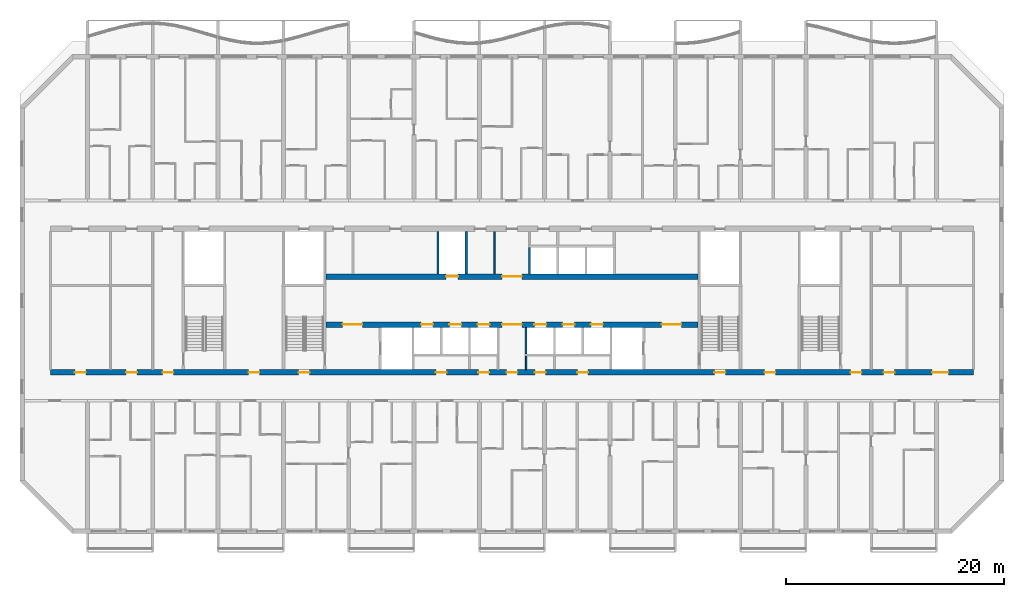
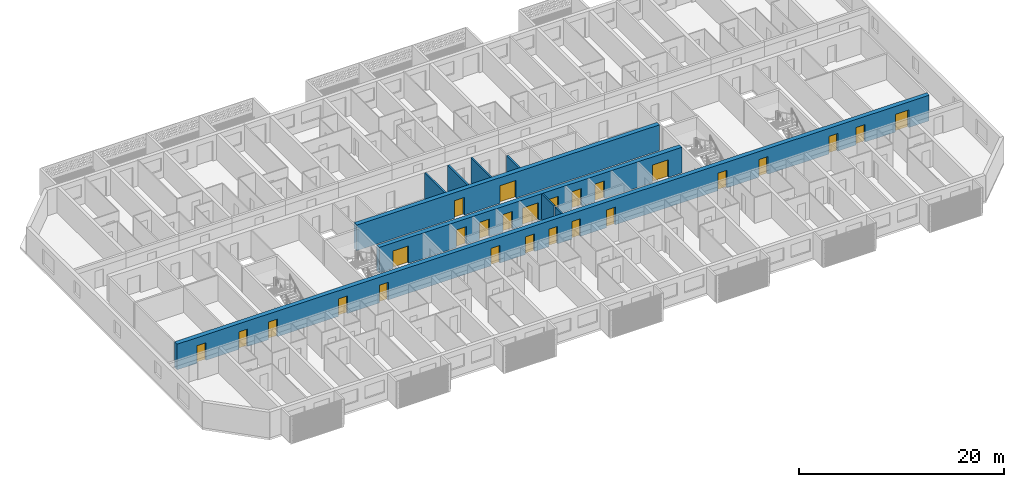
# One storey, part 8 of 28: 26 doors, 9 walls, 26 openings.
"""IFC4 building model written with IfcOpenShell, lengths in metres."""

from ifc_helpers import new_model, si_unit, direction, frame, frame_2d, origin, place, context, subcontext, project, spatial, rectangle, extrude, material, layer, layer_set, type_object, element, fill, save


model = new_model("IFC4")

# Units and contexts
model_context = context("Model", 3, precision=1e-05, world=origin(), true_north=direction((0.0, 1.0)))
body_context = subcontext(model_context, "Body", "Model", "MODEL_VIEW")
ifc_project = project(units=[si_unit("LENGTHUNIT", "METRE"), si_unit("AREAUNIT", "SQUARE_METRE"), si_unit("VOLUMEUNIT", "CUBIC_METRE"), si_unit("PLANEANGLEUNIT", "RADIAN"), si_unit("MASSUNIT", "GRAM", prefix="KILO")], contexts=[model_context])

# Site, building, storey
site_placement = place(None, origin())
site = spatial("IfcSite", under=ifc_project, at=site_placement, CompositionType="ELEMENT")
building_placement = place(site_placement, origin())
building = spatial("IfcBuilding", under=site, at=building_placement, Name="Poui Terraces", CompositionType="ELEMENT")
storey_placement = place(building_placement, frame((0.0, 0.0, 72.89990234375)))
storey = spatial("IfcBuildingStorey", under=building, at=storey_placement, Name="L19", CompositionType="ELEMENT", Elevation=72.89990234375)

# Wall, openings, doors
ifc_material_1 = material(Name="Concrete 65 MPa", Category="concrete")
ifc_layer_1 = layer(ifc_material_1, 0.5)
ifc_layer_set_1 = layer_set([ifc_layer_1], Name="Concrete 65 MPa")
wall_type_1 = type_object("IfcWallType", Name="CORE WALL 500 65 MPA", PredefinedType="SOLIDWALL", material=ifc_layer_set_1)
wall_1_placement = place(storey_placement, frame((33.925048828125, 19.0, 0.0), z_axis=(0.0, 0.0, 1.0), x_axis=(1.0, 0.0, 0.0)))
wall_1 = element("IfcWall", 1, at=wall_1_placement, inside=storey, type_object=wall_type_1, Name="CORE WALL", PredefinedType="SOLIDWALL", context=body_context, shape_type="SweptSolid", body=[
    extrude(rectangle(XDim=34.14990234375, YDim=0.5, at=frame_2d((17.074951171875, 0.0))), origin(), (0.0, 0.0, 1.0), 3.06005859375),
])
opening_1_placement = place(wall_1_placement, frame((16.175048828125, 0.0, 0.0)))
opening_1 = element("IfcOpeningElement", 2, at=opening_1_placement, cuts=wall_1, Name="Opening FDD60", PredefinedType="OPENING", context=body_context, shape_type="SweptSolid", body=[
    extrude(rectangle(XDim=1.800048828125, YDim=2.10009765625, at=frame_2d((0.89990234375, 1.050048828125))), frame((0.0, 0.260009765625, 0.0), z_axis=(0.0, -1.0, 0.0), x_axis=(1.0, 0.0, 0.0)), (0.0, 0.0, 1.0), 0.52001953125),
])
opening_2_placement = place(wall_1_placement, frame((1.52490234375, 0.0, 0.0)))
opening_2 = element("IfcOpeningElement", 3, at=opening_2_placement, cuts=wall_1, Name="Opening FDD60", PredefinedType="OPENING", context=body_context, shape_type="SweptSolid", body=[
    extrude(rectangle(XDim=1.800048828125, YDim=2.10009765625, at=frame_2d((0.89990234375, 1.050048828125))), frame((0.0, 0.260009765625, 0.0), z_axis=(0.0, -1.0, 0.0), x_axis=(1.0, 0.0, 0.0)), (0.0, 0.0, 1.0), 0.52001953125),
])
opening_3_placement = place(wall_1_placement, frame((8.72509765625, 0.0, 0.0)))
opening_3 = element("IfcOpeningElement", 4, at=opening_3_placement, cuts=wall_1, Name="Opening LD", PredefinedType="OPENING", context=body_context, shape_type="SweptSolid", body=[
    extrude(rectangle(XDim=1.10009765625, YDim=2.10009765625, at=frame_2d((0.550048828125, 1.050048828125))), frame((0.0, 0.260009765625, 0.0), z_axis=(0.0, -1.0, 0.0), x_axis=(1.0, 0.0, 0.0)), (0.0, 0.0, 1.0), 0.52001953125),
])
opening_4_placement = place(wall_1_placement, frame((11.324951171875, 0.0, 0.0)))
opening_4 = element("IfcOpeningElement", 5, at=opening_4_placement, cuts=wall_1, Name="Opening LD", PredefinedType="OPENING", context=body_context, shape_type="SweptSolid", body=[
    extrude(rectangle(XDim=1.10009765625, YDim=2.10009765625, at=frame_2d((0.550048828125, 1.050048828125))), frame((0.0, 0.260009765625, 0.0), z_axis=(0.0, -1.0, 0.0), x_axis=(1.0, 0.0, 0.0)), (0.0, 0.0, 1.0), 0.52001953125),
])
opening_5_placement = place(wall_1_placement, frame((13.925048828125, 0.0, 0.0)))
opening_5 = element("IfcOpeningElement", 6, at=opening_5_placement, cuts=wall_1, Name="Opening LD", PredefinedType="OPENING", context=body_context, shape_type="SweptSolid", body=[
    extrude(rectangle(XDim=1.10009765625, YDim=2.10009765625, at=frame_2d((0.550048828125, 1.050048828125))), frame((0.0, 0.260009765625, 0.0), z_axis=(0.0, -1.0, 0.0), x_axis=(1.0, 0.0, 0.0)), (0.0, 0.0, 1.0), 0.52001953125),
])
opening_6_placement = place(wall_1_placement, frame((19.125, 0.0, 0.0)))
opening_6 = element("IfcOpeningElement", 7, at=opening_6_placement, cuts=wall_1, Name="Opening LD", PredefinedType="OPENING", context=body_context, shape_type="SweptSolid", body=[
    extrude(rectangle(XDim=1.10009765625, YDim=2.10009765625, at=frame_2d((0.550048828125, 1.050048828125))), frame((0.0, 0.260009765625, 0.0), z_axis=(0.0, -1.0, 0.0), x_axis=(1.0, 0.0, 0.0)), (0.0, 0.0, 1.0), 0.52001953125),
])
opening_7_placement = place(wall_1_placement, frame((21.72509765625, 0.0, 0.0)))
opening_7 = element("IfcOpeningElement", 8, at=opening_7_placement, cuts=wall_1, Name="Opening LD", PredefinedType="OPENING", context=body_context, shape_type="SweptSolid", body=[
    extrude(rectangle(XDim=1.10009765625, YDim=2.10009765625, at=frame_2d((0.550048828125, 1.050048828125))), frame((0.0, 0.260009765625, 0.0), z_axis=(0.0, -1.0, 0.0), x_axis=(1.0, 0.0, 0.0)), (0.0, 0.0, 1.0), 0.52001953125),
])
opening_8_placement = place(wall_1_placement, frame((24.324951171875, 0.0, 0.0)))
opening_8 = element("IfcOpeningElement", 9, at=opening_8_placement, cuts=wall_1, Name="Opening LD", PredefinedType="OPENING", context=body_context, shape_type="SweptSolid", body=[
    extrude(rectangle(XDim=1.10009765625, YDim=2.10009765625, at=frame_2d((0.550048828125, 1.050048828125))), frame((0.0, 0.260009765625, 0.0), z_axis=(0.0, -1.0, 0.0), x_axis=(1.0, 0.0, 0.0)), (0.0, 0.0, 1.0), 0.52001953125),
])
opening_9_placement = place(wall_1_placement, frame((30.824951171875, 0.0, 0.0)))
opening_9 = element("IfcOpeningElement", 10, at=opening_9_placement, cuts=wall_1, Name="Opening FDD60", PredefinedType="OPENING", context=body_context, shape_type="SweptSolid", body=[
    extrude(rectangle(XDim=1.800048828125, YDim=2.10009765625, at=frame_2d((0.89990234375, 1.050048828125))), frame((0.0, 0.260009765625, 0.0), z_axis=(0.0, -1.0, 0.0), x_axis=(1.0, 0.0, 0.0)), (0.0, 0.0, 1.0), 0.52001953125),
])
ifc_material_2 = material(Name="Steel fire door", Category="steel")
door_type_1 = type_object("IfcDoorType", Name="DOUBLE LOBBY FIRE DOOR 1800 X 2100", OperationType="DOUBLE_DOOR_SINGLE_SWING", PredefinedType="DOOR", material=ifc_material_2)
door_1_placement = place(opening_1_placement, frame((1.800048828125, 0.0, 0.0), z_axis=(0.0, 0.0, 1.0), x_axis=(-1.0, 0.0, 0.0)))
door_1 = element("IfcDoor", 11, at=door_1_placement, inside=storey, type_object=door_type_1, Name="DOUBLE LOBBY FIRE DOOR 140", OperationType="DOUBLE_DOOR_SINGLE_SWING", OverallHeight=2.10009765625, OverallWidth=1.800048828125, PredefinedType="DOOR", context=body_context, shape_type="SweptSolid", body=[
    extrude(rectangle(XDim=1.800048828125, YDim=2.10009765625, at=frame_2d((0.89990234375, 1.050048828125))), frame((0.0, 0.02490234375, 0.0), z_axis=(0.0, -1.0, 0.0), x_axis=(1.0, 0.0, 0.0)), (0.0, 0.0, 1.0), 0.050048828125),
])
fill(opening_1, door_1)
door_2_placement = place(opening_2_placement, origin())
door_2 = element("IfcDoor", 12, at=door_2_placement, inside=storey, type_object=door_type_1, Name="DOUBLE LOBBY FIRE DOOR 141", OperationType="DOUBLE_DOOR_SINGLE_SWING", OverallHeight=2.10009765625, OverallWidth=1.800048828125, PredefinedType="DOOR", context=body_context, shape_type="SweptSolid", body=[
    extrude(rectangle(XDim=1.800048828125, YDim=2.10009765625, at=frame_2d((0.89990234375, 1.050048828125))), frame((0.0, 0.02490234375, 0.0), z_axis=(0.0, -1.0, 0.0), x_axis=(1.0, 0.0, 0.0)), (0.0, 0.0, 1.0), 0.050048828125),
])
fill(opening_2, door_2)
door_3_placement = place(opening_9_placement, origin())
door_3 = element("IfcDoor", 13, at=door_3_placement, inside=storey, type_object=door_type_1, Name="DOUBLE LOBBY FIRE DOOR 149", OperationType="DOUBLE_DOOR_SINGLE_SWING", OverallHeight=2.10009765625, OverallWidth=1.800048828125, PredefinedType="DOOR", context=body_context, shape_type="SweptSolid", body=[
    extrude(rectangle(XDim=1.800048828125, YDim=2.10009765625, at=frame_2d((0.89990234375, 1.050048828125))), frame((0.0, 0.02490234375, 0.0), z_axis=(0.0, -1.0, 0.0), x_axis=(1.0, 0.0, 0.0)), (0.0, 0.0, 1.0), 0.050048828125),
])
fill(opening_9, door_3)
ifc_material_3 = material(Name="Stainless steel sliding door", Category="steel")
door_type_2 = type_object("IfcDoorType", Name="LIFT LANDING DOOR 1100 X 2100", OperationType="DOUBLE_DOOR_SLIDING", PredefinedType="DOOR", material=ifc_material_3)
door_4_placement = place(opening_3_placement, origin())
door_4 = element("IfcDoor", 14, at=door_4_placement, inside=storey, type_object=door_type_2, Name="LANDING DOOR", OperationType="DOUBLE_DOOR_SLIDING", OverallHeight=2.10009765625, OverallWidth=1.10009765625, PredefinedType="DOOR", context=body_context, shape_type="SweptSolid", body=[
    extrude(rectangle(XDim=1.10009765625, YDim=2.10009765625, at=frame_2d((0.550048828125, 1.050048828125))), frame((0.0, 0.02490234375, 0.0), z_axis=(0.0, -1.0, 0.0), x_axis=(1.0, 0.0, 0.0)), (0.0, 0.0, 1.0), 0.050048828125),
])
fill(opening_3, door_4)
door_5_placement = place(opening_4_placement, origin())
door_5 = element("IfcDoor", 15, at=door_5_placement, inside=storey, type_object=door_type_2, Name="LANDING DOOR", OperationType="DOUBLE_DOOR_SLIDING", OverallHeight=2.10009765625, OverallWidth=1.10009765625, PredefinedType="DOOR", context=body_context, shape_type="SweptSolid", body=[
    extrude(rectangle(XDim=1.10009765625, YDim=2.10009765625, at=frame_2d((0.550048828125, 1.050048828125))), frame((0.0, 0.02490234375, 0.0), z_axis=(0.0, -1.0, 0.0), x_axis=(1.0, 0.0, 0.0)), (0.0, 0.0, 1.0), 0.050048828125),
])
fill(opening_4, door_5)
door_6_placement = place(opening_5_placement, origin())
door_6 = element("IfcDoor", 16, at=door_6_placement, inside=storey, type_object=door_type_2, Name="LANDING DOOR", OperationType="DOUBLE_DOOR_SLIDING", OverallHeight=2.10009765625, OverallWidth=1.10009765625, PredefinedType="DOOR", context=body_context, shape_type="SweptSolid", body=[
    extrude(rectangle(XDim=1.10009765625, YDim=2.10009765625, at=frame_2d((0.550048828125, 1.050048828125))), frame((0.0, 0.02490234375, 0.0), z_axis=(0.0, -1.0, 0.0), x_axis=(1.0, 0.0, 0.0)), (0.0, 0.0, 1.0), 0.050048828125),
])
fill(opening_5, door_6)
door_7_placement = place(opening_6_placement, origin())
door_7 = element("IfcDoor", 17, at=door_7_placement, inside=storey, type_object=door_type_2, Name="LANDING DOOR", OperationType="DOUBLE_DOOR_SLIDING", OverallHeight=2.10009765625, OverallWidth=1.10009765625, PredefinedType="DOOR", context=body_context, shape_type="SweptSolid", body=[
    extrude(rectangle(XDim=1.10009765625, YDim=2.10009765625, at=frame_2d((0.550048828125, 1.050048828125))), frame((0.0, 0.02490234375, 0.0), z_axis=(0.0, -1.0, 0.0), x_axis=(1.0, 0.0, 0.0)), (0.0, 0.0, 1.0), 0.050048828125),
])
fill(opening_6, door_7)
door_8_placement = place(opening_7_placement, origin())
door_8 = element("IfcDoor", 18, at=door_8_placement, inside=storey, type_object=door_type_2, Name="LANDING DOOR", OperationType="DOUBLE_DOOR_SLIDING", OverallHeight=2.10009765625, OverallWidth=1.10009765625, PredefinedType="DOOR", context=body_context, shape_type="SweptSolid", body=[
    extrude(rectangle(XDim=1.10009765625, YDim=2.10009765625, at=frame_2d((0.550048828125, 1.050048828125))), frame((0.0, 0.02490234375, 0.0), z_axis=(0.0, -1.0, 0.0), x_axis=(1.0, 0.0, 0.0)), (0.0, 0.0, 1.0), 0.050048828125),
])
fill(opening_7, door_8)
door_9_placement = place(opening_8_placement, origin())
door_9 = element("IfcDoor", 19, at=door_9_placement, inside=storey, type_object=door_type_2, Name="LANDING DOOR", OperationType="DOUBLE_DOOR_SLIDING", OverallHeight=2.10009765625, OverallWidth=1.10009765625, PredefinedType="DOOR", context=body_context, shape_type="SweptSolid", body=[
    extrude(rectangle(XDim=1.10009765625, YDim=2.10009765625, at=frame_2d((0.550048828125, 1.050048828125))), frame((0.0, 0.02490234375, 0.0), z_axis=(0.0, -1.0, 0.0), x_axis=(1.0, 0.0, 0.0)), (0.0, 0.0, 1.0), 0.050048828125),
])
fill(opening_8, door_9)

wall_2_placement = place(storey_placement, frame((33.925048828125, 23.39990234375, 0.0), z_axis=(0.0, 0.0, 1.0), x_axis=(1.0, 0.0, 0.0)))
wall_2 = element("IfcWall", 20, at=wall_2_placement, inside=storey, type_object=wall_type_1, Name="CORE WALL", PredefinedType="SOLIDWALL", context=body_context, shape_type="SweptSolid", body=[
    extrude(rectangle(XDim=34.14990234375, YDim=0.5, at=frame_2d((17.074951171875, 0.0))), origin(), (0.0, 0.0, 1.0), 3.06005859375),
])
opening_10_placement = place(wall_2_placement, frame((16.175048828125, 0.0, 0.0)))
opening_10 = element("IfcOpeningElement", 21, at=opening_10_placement, cuts=wall_2, Name="Opening FDD60", PredefinedType="OPENING", context=body_context, shape_type="SweptSolid", body=[
    extrude(rectangle(XDim=1.800048828125, YDim=2.10009765625, at=frame_2d((0.89990234375, 1.050048828125))), frame((0.0, 0.260009765625, 0.0), z_axis=(0.0, -1.0, 0.0), x_axis=(1.0, 0.0, 0.0)), (0.0, 0.0, 1.0), 0.52001953125),
])
opening_11_placement = place(wall_2_placement, frame((11.02490234375, 0.0, 0.0)))
opening_11 = element("IfcOpeningElement", 22, at=opening_11_placement, cuts=wall_2, Name="Opening LD", PredefinedType="OPENING", context=body_context, shape_type="SweptSolid", body=[
    extrude(rectangle(XDim=1.10009765625, YDim=2.10009765625, at=frame_2d((0.550048828125, 1.050048828125))), frame((0.0, 0.260009765625, 0.0), z_axis=(0.0, -1.0, 0.0), x_axis=(1.0, 0.0, 0.0)), (0.0, 0.0, 1.0), 0.52001953125),
])
door_10_placement = place(opening_10_placement, origin())
door_10 = element("IfcDoor", 23, at=door_10_placement, inside=storey, type_object=door_type_1, Name="DOUBLE LOBBY FIRE DOOR 139", OperationType="DOUBLE_DOOR_SINGLE_SWING", OverallHeight=2.10009765625, OverallWidth=1.800048828125, PredefinedType="DOOR", context=body_context, shape_type="SweptSolid", body=[
    extrude(rectangle(XDim=1.800048828125, YDim=2.10009765625, at=frame_2d((0.89990234375, 1.050048828125))), frame((0.0, 0.02490234375, 0.0), z_axis=(0.0, -1.0, 0.0), x_axis=(1.0, 0.0, 0.0)), (0.0, 0.0, 1.0), 0.050048828125),
])
fill(opening_10, door_10)
door_11_placement = place(opening_11_placement, origin())
door_11 = element("IfcDoor", 24, at=door_11_placement, inside=storey, type_object=door_type_2, Name="LANDING DOOR", OperationType="DOUBLE_DOOR_SLIDING", OverallHeight=2.10009765625, OverallWidth=1.10009765625, PredefinedType="DOOR", context=body_context, shape_type="SweptSolid", body=[
    extrude(rectangle(XDim=1.10009765625, YDim=2.10009765625, at=frame_2d((0.550048828125, 1.050048828125))), frame((0.0, 0.02490234375, 0.0), z_axis=(0.0, -1.0, 0.0), x_axis=(1.0, 0.0, 0.0)), (0.0, 0.0, 1.0), 0.050048828125),
])
fill(opening_11, door_11)

# Walls
ifc_material_4 = material(Name="Fire-rated plasterboard wall")
ifc_layer_2 = layer(ifc_material_4, 0.14990234375)
ifc_layer_set_2 = layer_set([ifc_layer_2], Name="Fire-rated plasterboard wall")
wall_type_2 = type_object("IfcWallType", Name="CORRIDOR WALL 150", PredefinedType="PARTITIONING", material=ifc_layer_set_2)
wall_3_placement = place(storey_placement, frame((49.39990234375, 23.659912109375, 0.0), z_axis=(0.0, 0.0, 1.0), x_axis=(0.0, 1.0, 0.0)))
element("IfcWall", 25, at=wall_3_placement, inside=storey, type_object=wall_type_2, Name="CORRIDOR WALL 150", PredefinedType="PARTITIONING", context=body_context, shape_type="SweptSolid", body=[
    extrude(rectangle(XDim=3.880126953125, YDim=0.14990234375, at=frame_2d((1.93994140625, 0.0))), origin(), (0.0, 0.0, 1.0), 3.06005859375),
])
wall_4_placement = place(storey_placement, frame((52.300048828125, 14.860107421875, 0.0), z_axis=(0.0, 0.0, 1.0), x_axis=(0.0, 1.0, 0.0)))
element("IfcWall", 26, at=wall_4_placement, inside=storey, type_object=wall_type_2, Name="CORRIDOR WALL 150", PredefinedType="PARTITIONING", context=body_context, shape_type="SweptSolid", body=[
    extrude(rectangle(XDim=1.239990234375, YDim=0.14990234375, at=frame_2d((0.6201171875, 0.0))), origin(), (0.0, 0.0, 1.0), 3.06005859375),
])
ifc_material_5 = material(Name="Fire-rated masonry shaft wall", Category="masonry")
ifc_layer_3 = layer(ifc_material_5, 0.199951171875)
ifc_layer_set_3 = layer_set([ifc_layer_3], Name="Fire-rated masonry shaft wall")
wall_type_3 = type_object("IfcWallType", Name="SHAFT WALL 200", PredefinedType="PARTITIONING", material=ifc_layer_set_3)
for number, where, z_axis, x_axis, name in (
    (27, (44.199951171875, 23.659912109375, 0.0), (0.0, 0.0, 1.0), (0.0, 1.0, 0.0), "SHAFT WALL 200"),
    (28, (46.800048828125, 23.659912109375, 0.0), (0.0, 0.0, 1.0), (0.0, 1.0, 0.0), "SHAFT WALL 200"),
):
    element("IfcWall", number, at=place(storey_placement, frame(where, z_axis=z_axis, x_axis=x_axis)), inside=storey, type_object=wall_type_3, Name=name, PredefinedType="PARTITIONING", context=body_context, shape_type="SweptSolid", body=[
        extrude(rectangle(XDim=3.880126953125, YDim=0.199951171875, at=frame_2d((1.93994140625, 0.0))), origin(), (0.0, 0.0, 1.0), 3.06005859375),
    ])
wall_5_placement = place(storey_placement, frame((52.300048828125, 16.300048828125, 0.0), z_axis=(0.0, 0.0, 1.0), x_axis=(0.0, 1.0, 0.0)))
element("IfcWall", 29, at=wall_5_placement, inside=storey, type_object=wall_type_3, Name="SHAFT WALL 200", PredefinedType="PARTITIONING", context=body_context, shape_type="SweptSolid", body=[
    extrude(rectangle(XDim=2.43994140625, YDim=0.199951171875, at=frame_2d((1.219970703125, 0.0))), origin(), (0.0, 0.0, 1.0), 3.06005859375),
])
wall_6_placement = place(storey_placement, frame((52.60009765625, 23.659912109375, 0.0), z_axis=(0.0, 0.0, 1.0), x_axis=(0.0, 1.0, 0.0)))
element("IfcWall", 30, at=wall_6_placement, inside=storey, type_object=wall_type_3, Name="SHAFT WALL 200", PredefinedType="PARTITIONING", context=body_context, shape_type="SweptSolid", body=[
    extrude(rectangle(XDim=2.440185546875, YDim=0.199951171875, at=frame_2d((1.22021484375, 0.0))), origin(), (0.0, 0.0, 1.0), 3.06005859375),
])

# Wall, openings, doors
ifc_layer_4 = layer(ifc_material_1, 0.5)
ifc_layer_set_4 = layer_set([ifc_layer_4], Name="Concrete 65 MPa")
wall_type_4 = type_object("IfcWallType", Name="SPINE WALL 500 65 MPA", PredefinedType="SOLIDWALL", material=ifc_layer_set_4)
wall_7_placement = place(storey_placement, frame((8.60009765625, 14.60009765625, 0.0), z_axis=(0.0, 0.0, 1.0), x_axis=(1.0, 0.0, 0.0)))
wall_7 = element("IfcWall", 31, at=wall_7_placement, inside=storey, type_object=wall_type_4, Name="SPINE WALL", PredefinedType="SOLIDWALL", context=body_context, shape_type="SweptSolid", body=[
    extrude(rectangle(XDim=84.7998046875, YDim=0.5, at=frame_2d((42.39990234375, 0.0))), origin(), (0.0, 0.0, 1.0), 3.06005859375),
])
opening_12_placement = place(wall_7_placement, frame((2.25, 0.0, 0.0)))
opening_12 = element("IfcOpeningElement", 32, at=opening_12_placement, cuts=wall_7, Name="Opening FD60", PredefinedType="OPENING", context=body_context, shape_type="SweptSolid", body=[
    extrude(rectangle(XDim=1.0, YDim=2.10009765625, at=frame_2d((0.5, 1.050048828125))), frame((0.0, 0.260009765625, 0.0), z_axis=(0.0, -1.0, 0.0), x_axis=(1.0, 0.0, 0.0)), (0.0, 0.0, 1.0), 0.52001953125),
])
opening_13_placement = place(wall_7_placement, frame((6.949951171875, 0.0, 0.0)))
opening_13 = element("IfcOpeningElement", 33, at=opening_13_placement, cuts=wall_7, Name="Opening D100", PredefinedType="OPENING", context=body_context, shape_type="SweptSolid", body=[
    extrude(rectangle(XDim=1.0, YDim=2.10009765625, at=frame_2d((0.5, 1.050048828125))), frame((0.0, 0.260009765625, 0.0), z_axis=(0.0, -1.0, 0.0), x_axis=(1.0, 0.0, 0.0)), (0.0, 0.0, 1.0), 0.52001953125),
])
opening_14_placement = place(wall_7_placement, frame((10.300048828125, 0.0, 0.0)))
opening_14 = element("IfcOpeningElement", 34, at=opening_14_placement, cuts=wall_7, Name="Opening FDL", PredefinedType="OPENING", context=body_context, shape_type="SweptSolid", body=[
    extrude(rectangle(XDim=1.0, YDim=2.10009765625, at=frame_2d((0.5, 1.050048828125))), frame((0.0, 0.260009765625, 0.0), z_axis=(0.0, -1.0, 0.0), x_axis=(1.0, 0.0, 0.0)), (0.0, 0.0, 1.0), 0.52001953125),
])
opening_15_placement = place(wall_7_placement, frame((18.199951171875, 0.0, 0.0)))
opening_15 = element("IfcOpeningElement", 35, at=opening_15_placement, cuts=wall_7, Name="Opening D100", PredefinedType="OPENING", context=body_context, shape_type="SweptSolid", body=[
    extrude(rectangle(XDim=1.0, YDim=2.10009765625, at=frame_2d((0.5, 1.050048828125))), frame((0.0, 0.260009765625, 0.0), z_axis=(0.0, -1.0, 0.0), x_axis=(1.0, 0.0, 0.0)), (0.0, 0.0, 1.0), 0.52001953125),
])
opening_16_placement = place(wall_7_placement, frame((22.800048828125, 0.0, 0.0)))
opening_16 = element("IfcOpeningElement", 36, at=opening_16_placement, cuts=wall_7, Name="Opening FD60S", PredefinedType="OPENING", context=body_context, shape_type="SweptSolid", body=[
    extrude(rectangle(XDim=1.0, YDim=2.10009765625, at=frame_2d((0.5, 1.050048828125))), frame((0.0, 0.260009765625, 0.0), z_axis=(0.0, -1.0, 0.0), x_axis=(1.0, 0.0, 0.0)), (0.0, 0.0, 1.0), 0.52001953125),
])
opening_17_placement = place(wall_7_placement, frame((35.39990234375, 0.0, 0.0)))
opening_17 = element("IfcOpeningElement", 37, at=opening_17_placement, cuts=wall_7, Name="Opening FD60", PredefinedType="OPENING", context=body_context, shape_type="SweptSolid", body=[
    extrude(rectangle(XDim=1.0, YDim=2.10009765625, at=frame_2d((0.5, 1.050048828125))), frame((0.0, 0.260009765625, 0.0), z_axis=(0.0, -1.0, 0.0), x_axis=(1.0, 0.0, 0.0)), (0.0, 0.0, 1.0), 0.52001953125),
])
opening_18_placement = place(wall_7_placement, frame((39.300048828125, 0.0, 0.0)))
opening_18 = element("IfcOpeningElement", 38, at=opening_18_placement, cuts=wall_7, Name="Opening FD60", PredefinedType="OPENING", context=body_context, shape_type="SweptSolid", body=[
    extrude(rectangle(XDim=1.0, YDim=2.10009765625, at=frame_2d((0.5, 1.050048828125))), frame((0.0, 0.260009765625, 0.0), z_axis=(0.0, -1.0, 0.0), x_axis=(1.0, 0.0, 0.0)), (0.0, 0.0, 1.0), 0.52001953125),
])
opening_19_placement = place(wall_7_placement, frame((41.89990234375, 0.0, 0.0)))
opening_19 = element("IfcOpeningElement", 39, at=opening_19_placement, cuts=wall_7, Name="Opening FDL", PredefinedType="OPENING", context=body_context, shape_type="SweptSolid", body=[
    extrude(rectangle(XDim=1.0, YDim=2.10009765625, at=frame_2d((0.5, 1.050048828125))), frame((0.0, 0.260009765625, 0.0), z_axis=(0.0, -1.0, 0.0), x_axis=(1.0, 0.0, 0.0)), (0.0, 0.0, 1.0), 0.52001953125),
])
opening_20_placement = place(wall_7_placement, frame((44.5, 0.0, 0.0)))
opening_20 = element("IfcOpeningElement", 40, at=opening_20_placement, cuts=wall_7, Name="Opening FD60", PredefinedType="OPENING", context=body_context, shape_type="SweptSolid", body=[
    extrude(rectangle(XDim=1.0, YDim=2.10009765625, at=frame_2d((0.5, 1.050048828125))), frame((0.0, 0.260009765625, 0.0), z_axis=(0.0, -1.0, 0.0), x_axis=(1.0, 0.0, 0.0)), (0.0, 0.0, 1.0), 0.52001953125),
])
opening_21_placement = place(wall_7_placement, frame((48.39990234375, 0.0, 0.0)))
opening_21 = element("IfcOpeningElement", 41, at=opening_21_placement, cuts=wall_7, Name="Opening FD60", PredefinedType="OPENING", context=body_context, shape_type="SweptSolid", body=[
    extrude(rectangle(XDim=1.0, YDim=2.10009765625, at=frame_2d((0.5, 1.050048828125))), frame((0.0, 0.260009765625, 0.0), z_axis=(0.0, -1.0, 0.0), x_axis=(1.0, 0.0, 0.0)), (0.0, 0.0, 1.0), 0.52001953125),
])
opening_22_placement = place(wall_7_placement, frame((61.0, 0.0, 0.0)))
opening_22 = element("IfcOpeningElement", 42, at=opening_22_placement, cuts=wall_7, Name="Opening FD60S", PredefinedType="OPENING", context=body_context, shape_type="SweptSolid", body=[
    extrude(rectangle(XDim=1.0, YDim=2.10009765625, at=frame_2d((0.5, 1.050048828125))), frame((0.0, 0.260009765625, 0.0), z_axis=(0.0, -1.0, 0.0), x_axis=(1.0, 0.0, 0.0)), (0.0, 0.0, 1.0), 0.52001953125),
])
opening_23_placement = place(wall_7_placement, frame((65.60009765625, 0.0, 0.0)))
opening_23 = element("IfcOpeningElement", 43, at=opening_23_placement, cuts=wall_7, Name="Opening D100", PredefinedType="OPENING", context=body_context, shape_type="SweptSolid", body=[
    extrude(rectangle(XDim=1.0, YDim=2.10009765625, at=frame_2d((0.5, 1.050048828125))), frame((0.0, 0.260009765625, 0.0), z_axis=(0.0, -1.0, 0.0), x_axis=(1.0, 0.0, 0.0)), (0.0, 0.0, 1.0), 0.52001953125),
])
opening_24_placement = place(wall_7_placement, frame((73.5, 0.0, 0.0)))
opening_24 = element("IfcOpeningElement", 44, at=opening_24_placement, cuts=wall_7, Name="Opening FDL", PredefinedType="OPENING", context=body_context, shape_type="SweptSolid", body=[
    extrude(rectangle(XDim=1.0, YDim=2.10009765625, at=frame_2d((0.5, 1.050048828125))), frame((0.0, 0.260009765625, 0.0), z_axis=(0.0, -1.0, 0.0), x_axis=(1.0, 0.0, 0.0)), (0.0, 0.0, 1.0), 0.52001953125),
])
opening_25_placement = place(wall_7_placement, frame((76.550048828125, 0.0, 0.0)))
opening_25 = element("IfcOpeningElement", 45, at=opening_25_placement, cuts=wall_7, Name="Opening D100", PredefinedType="OPENING", context=body_context, shape_type="SweptSolid", body=[
    extrude(rectangle(XDim=1.0, YDim=2.10009765625, at=frame_2d((0.5, 1.050048828125))), frame((0.0, 0.260009765625, 0.0), z_axis=(0.0, -1.0, 0.0), x_axis=(1.0, 0.0, 0.0)), (0.0, 0.0, 1.0), 0.52001953125),
])
opening_26_placement = place(wall_7_placement, frame((81.0, 0.0, 0.0)))
opening_26 = element("IfcOpeningElement", 46, at=opening_26_placement, cuts=wall_7, Name="Opening FDP", PredefinedType="OPENING", context=body_context, shape_type="SweptSolid", body=[
    extrude(rectangle(XDim=1.5, YDim=2.10009765625, at=frame_2d((0.75, 1.050048828125))), frame((0.0, 0.260009765625, 0.0), z_axis=(0.0, -1.0, 0.0), x_axis=(1.0, 0.0, 0.0)), (0.0, 0.0, 1.0), 0.52001953125),
])
ifc_material_6 = material(Name="Solid core timber door", Category="wood")
door_type_3 = type_object("IfcDoorType", Name="ACCESSIBLE INTERNAL DOOR 1000 X 2100", OperationType="NOTDEFINED", PredefinedType="DOOR", material=ifc_material_6)
door_12_placement = place(opening_13_placement, frame((1.0, 0.0, 0.0), z_axis=(0.0, 0.0, 1.0), x_axis=(-1.0, 0.0, 0.0)))
door_12 = element("IfcDoor", 47, at=door_12_placement, inside=storey, type_object=door_type_3, Name="ACCESSIBLE INTERNAL DOOR 019", OperationType="SINGLE_SWING_RIGHT", OverallHeight=2.10009765625, OverallWidth=1.0, PredefinedType="DOOR", context=body_context, shape_type="SweptSolid", body=[
    extrude(rectangle(XDim=1.0, YDim=2.10009765625, at=frame_2d((0.5, 1.050048828125))), frame((0.0, 0.02490234375, 0.0), z_axis=(0.0, -1.0, 0.0), x_axis=(1.0, 0.0, 0.0)), (0.0, 0.0, 1.0), 0.050048828125),
])
fill(opening_13, door_12)
door_13_placement = place(opening_15_placement, frame((1.0, 0.0, 0.0), z_axis=(0.0, 0.0, 1.0), x_axis=(-1.0, 0.0, 0.0)))
door_13 = element("IfcDoor", 48, at=door_13_placement, inside=storey, type_object=door_type_3, Name="ACCESSIBLE INTERNAL DOOR 021", OperationType="SINGLE_SWING_LEFT", OverallHeight=2.10009765625, OverallWidth=1.0, PredefinedType="DOOR", context=body_context, shape_type="SweptSolid", body=[
    extrude(rectangle(XDim=1.0, YDim=2.10009765625, at=frame_2d((0.5, 1.050048828125))), frame((0.0, 0.02490234375, 0.0), z_axis=(0.0, -1.0, 0.0), x_axis=(1.0, 0.0, 0.0)), (0.0, 0.0, 1.0), 0.050048828125),
])
fill(opening_15, door_13)
door_14_placement = place(opening_23_placement, frame((1.0, 0.0, 0.0), z_axis=(0.0, 0.0, 1.0), x_axis=(-1.0, 0.0, 0.0)))
door_14 = element("IfcDoor", 49, at=door_14_placement, inside=storey, type_object=door_type_3, Name="ACCESSIBLE INTERNAL DOOR 029", OperationType="SINGLE_SWING_RIGHT", OverallHeight=2.10009765625, OverallWidth=1.0, PredefinedType="DOOR", context=body_context, shape_type="SweptSolid", body=[
    extrude(rectangle(XDim=1.0, YDim=2.10009765625, at=frame_2d((0.5, 1.050048828125))), frame((0.0, 0.02490234375, 0.0), z_axis=(0.0, -1.0, 0.0), x_axis=(1.0, 0.0, 0.0)), (0.0, 0.0, 1.0), 0.050048828125),
])
fill(opening_23, door_14)
door_15_placement = place(opening_25_placement, frame((1.0, 0.0, 0.0), z_axis=(0.0, 0.0, 1.0), x_axis=(-1.0, 0.0, 0.0)))
door_15 = element("IfcDoor", 50, at=door_15_placement, inside=storey, type_object=door_type_3, Name="ACCESSIBLE INTERNAL DOOR 031", OperationType="SINGLE_SWING_LEFT", OverallHeight=2.10009765625, OverallWidth=1.0, PredefinedType="DOOR", context=body_context, shape_type="SweptSolid", body=[
    extrude(rectangle(XDim=1.0, YDim=2.10009765625, at=frame_2d((0.5, 1.050048828125))), frame((0.0, 0.02490234375, 0.0), z_axis=(0.0, -1.0, 0.0), x_axis=(1.0, 0.0, 0.0)), (0.0, 0.0, 1.0), 0.050048828125),
])
fill(opening_25, door_15)
door_type_4 = type_object("IfcDoorType", Name="LOBBY FIRE DOOR 1000 X 2100", OperationType="NOTDEFINED", PredefinedType="DOOR", material=ifc_material_2)
door_16_placement = place(opening_14_placement, frame((1.0, 0.0, 0.0), z_axis=(0.0, 0.0, 1.0), x_axis=(-1.0, 0.0, 0.0)))
door_16 = element("IfcDoor", 51, at=door_16_placement, inside=storey, type_object=door_type_4, Name="LOBBY FIRE DOOR 020", OperationType="SINGLE_SWING_RIGHT", OverallHeight=2.10009765625, OverallWidth=1.0, PredefinedType="DOOR", context=body_context, shape_type="SweptSolid", body=[
    extrude(rectangle(XDim=1.0, YDim=2.10009765625, at=frame_2d((0.5, 1.050048828125))), frame((0.0, 0.02490234375, 0.0), z_axis=(0.0, -1.0, 0.0), x_axis=(1.0, 0.0, 0.0)), (0.0, 0.0, 1.0), 0.050048828125),
])
fill(opening_14, door_16)
door_17_placement = place(opening_19_placement, frame((1.0, 0.0, 0.0), z_axis=(0.0, 0.0, 1.0), x_axis=(-1.0, 0.0, 0.0)))
door_17 = element("IfcDoor", 52, at=door_17_placement, inside=storey, type_object=door_type_4, Name="LOBBY FIRE DOOR 025", OperationType="SINGLE_SWING_LEFT", OverallHeight=2.10009765625, OverallWidth=1.0, PredefinedType="DOOR", context=body_context, shape_type="SweptSolid", body=[
    extrude(rectangle(XDim=1.0, YDim=2.10009765625, at=frame_2d((0.5, 1.050048828125))), frame((0.0, 0.02490234375, 0.0), z_axis=(0.0, -1.0, 0.0), x_axis=(1.0, 0.0, 0.0)), (0.0, 0.0, 1.0), 0.050048828125),
])
fill(opening_19, door_17)
door_18_placement = place(opening_24_placement, frame((1.0, 0.0, 0.0), z_axis=(0.0, 0.0, 1.0), x_axis=(-1.0, 0.0, 0.0)))
door_18 = element("IfcDoor", 53, at=door_18_placement, inside=storey, type_object=door_type_4, Name="LOBBY FIRE DOOR 030", OperationType="SINGLE_SWING_LEFT", OverallHeight=2.10009765625, OverallWidth=1.0, PredefinedType="DOOR", context=body_context, shape_type="SweptSolid", body=[
    extrude(rectangle(XDim=1.0, YDim=2.10009765625, at=frame_2d((0.5, 1.050048828125))), frame((0.0, 0.02490234375, 0.0), z_axis=(0.0, -1.0, 0.0), x_axis=(1.0, 0.0, 0.0)), (0.0, 0.0, 1.0), 0.050048828125),
])
fill(opening_24, door_18)
door_type_5 = type_object("IfcDoorType", Name="PLANT ROOM DOOR PAIR 1500 X 2100", OperationType="DOUBLE_DOOR_SINGLE_SWING", PredefinedType="DOOR", material=ifc_material_2)
door_19_placement = place(opening_26_placement, frame((1.5, 0.0, 0.0), z_axis=(0.0, 0.0, 1.0), x_axis=(-1.0, 0.0, 0.0)))
door_19 = element("IfcDoor", 54, at=door_19_placement, inside=storey, type_object=door_type_5, Name="PLANT ROOM DOOR PAIR 032", OperationType="DOUBLE_DOOR_SINGLE_SWING", OverallHeight=2.10009765625, OverallWidth=1.5, PredefinedType="DOOR", context=body_context, shape_type="SweptSolid", body=[
    extrude(rectangle(XDim=1.5, YDim=2.10009765625, at=frame_2d((0.75, 1.050048828125))), frame((0.0, 0.02490234375, 0.0), z_axis=(0.0, -1.0, 0.0), x_axis=(1.0, 0.0, 0.0)), (0.0, 0.0, 1.0), 0.050048828125),
])
fill(opening_26, door_19)
door_type_6 = type_object("IfcDoorType", Name="SERVICE ROOM FIRE DOOR 1000 X 2100", OperationType="NOTDEFINED", PredefinedType="DOOR", material=ifc_material_2)
door_20_placement = place(opening_12_placement, frame((1.0, 0.0, 0.0), z_axis=(0.0, 0.0, 1.0), x_axis=(-1.0, 0.0, 0.0)))
door_20 = element("IfcDoor", 55, at=door_20_placement, inside=storey, type_object=door_type_6, Name="SERVICE ROOM FIRE DOOR 018", OperationType="SINGLE_SWING_LEFT", OverallHeight=2.10009765625, OverallWidth=1.0, PredefinedType="DOOR", context=body_context, shape_type="SweptSolid", body=[
    extrude(rectangle(XDim=1.0, YDim=2.10009765625, at=frame_2d((0.5, 1.050048828125))), frame((0.0, 0.02490234375, 0.0), z_axis=(0.0, -1.0, 0.0), x_axis=(1.0, 0.0, 0.0)), (0.0, 0.0, 1.0), 0.050048828125),
])
fill(opening_12, door_20)
door_21_placement = place(opening_17_placement, frame((1.0, 0.0, 0.0), z_axis=(0.0, 0.0, 1.0), x_axis=(-1.0, 0.0, 0.0)))
door_21 = element("IfcDoor", 56, at=door_21_placement, inside=storey, type_object=door_type_6, Name="SERVICE ROOM FIRE DOOR 023", OperationType="SINGLE_SWING_LEFT", OverallHeight=2.10009765625, OverallWidth=1.0, PredefinedType="DOOR", context=body_context, shape_type="SweptSolid", body=[
    extrude(rectangle(XDim=1.0, YDim=2.10009765625, at=frame_2d((0.5, 1.050048828125))), frame((0.0, 0.02490234375, 0.0), z_axis=(0.0, -1.0, 0.0), x_axis=(1.0, 0.0, 0.0)), (0.0, 0.0, 1.0), 0.050048828125),
])
fill(opening_17, door_21)
door_22_placement = place(opening_18_placement, frame((1.0, 0.0, 0.0), z_axis=(0.0, 0.0, 1.0), x_axis=(-1.0, 0.0, 0.0)))
door_22 = element("IfcDoor", 57, at=door_22_placement, inside=storey, type_object=door_type_6, Name="SERVICE ROOM FIRE DOOR 024", OperationType="SINGLE_SWING_RIGHT", OverallHeight=2.10009765625, OverallWidth=1.0, PredefinedType="DOOR", context=body_context, shape_type="SweptSolid", body=[
    extrude(rectangle(XDim=1.0, YDim=2.10009765625, at=frame_2d((0.5, 1.050048828125))), frame((0.0, 0.02490234375, 0.0), z_axis=(0.0, -1.0, 0.0), x_axis=(1.0, 0.0, 0.0)), (0.0, 0.0, 1.0), 0.050048828125),
])
fill(opening_18, door_22)
door_23_placement = place(opening_20_placement, frame((1.0, 0.0, 0.0), z_axis=(0.0, 0.0, 1.0), x_axis=(-1.0, 0.0, 0.0)))
door_23 = element("IfcDoor", 58, at=door_23_placement, inside=storey, type_object=door_type_6, Name="SERVICE ROOM FIRE DOOR 026", OperationType="SINGLE_SWING_LEFT", OverallHeight=2.10009765625, OverallWidth=1.0, PredefinedType="DOOR", context=body_context, shape_type="SweptSolid", body=[
    extrude(rectangle(XDim=1.0, YDim=2.10009765625, at=frame_2d((0.5, 1.050048828125))), frame((0.0, 0.02490234375, 0.0), z_axis=(0.0, -1.0, 0.0), x_axis=(1.0, 0.0, 0.0)), (0.0, 0.0, 1.0), 0.050048828125),
])
fill(opening_20, door_23)
door_24_placement = place(opening_21_placement, frame((1.0, 0.0, 0.0), z_axis=(0.0, 0.0, 1.0), x_axis=(-1.0, 0.0, 0.0)))
door_24 = element("IfcDoor", 59, at=door_24_placement, inside=storey, type_object=door_type_6, Name="SERVICE ROOM FIRE DOOR 027", OperationType="SINGLE_SWING_RIGHT", OverallHeight=2.10009765625, OverallWidth=1.0, PredefinedType="DOOR", context=body_context, shape_type="SweptSolid", body=[
    extrude(rectangle(XDim=1.0, YDim=2.10009765625, at=frame_2d((0.5, 1.050048828125))), frame((0.0, 0.02490234375, 0.0), z_axis=(0.0, -1.0, 0.0), x_axis=(1.0, 0.0, 0.0)), (0.0, 0.0, 1.0), 0.050048828125),
])
fill(opening_21, door_24)
door_type_7 = type_object("IfcDoorType", Name="STAIR DOOR 1000 X 2100", OperationType="NOTDEFINED", PredefinedType="DOOR", material=ifc_material_2)
door_25_placement = place(opening_16_placement, origin())
door_25 = element("IfcDoor", 60, at=door_25_placement, inside=storey, type_object=door_type_7, Name="STAIR DOOR 022", OperationType="SINGLE_SWING_RIGHT", OverallHeight=2.10009765625, OverallWidth=1.0, PredefinedType="DOOR", context=body_context, shape_type="SweptSolid", body=[
    extrude(rectangle(XDim=1.0, YDim=2.10009765625, at=frame_2d((0.5, 1.050048828125))), frame((0.0, 0.02490234375, 0.0), z_axis=(0.0, -1.0, 0.0), x_axis=(1.0, 0.0, 0.0)), (0.0, 0.0, 1.0), 0.050048828125),
])
fill(opening_16, door_25)
door_26_placement = place(opening_22_placement, origin())
door_26 = element("IfcDoor", 61, at=door_26_placement, inside=storey, type_object=door_type_7, Name="STAIR DOOR 028", OperationType="SINGLE_SWING_RIGHT", OverallHeight=2.10009765625, OverallWidth=1.0, PredefinedType="DOOR", context=body_context, shape_type="SweptSolid", body=[
    extrude(rectangle(XDim=1.0, YDim=2.10009765625, at=frame_2d((0.5, 1.050048828125))), frame((0.0, 0.02490234375, 0.0), z_axis=(0.0, -1.0, 0.0), x_axis=(1.0, 0.0, 0.0)), (0.0, 0.0, 1.0), 0.050048828125),
])
fill(opening_22, door_26)

save(model, "model.ifc")
